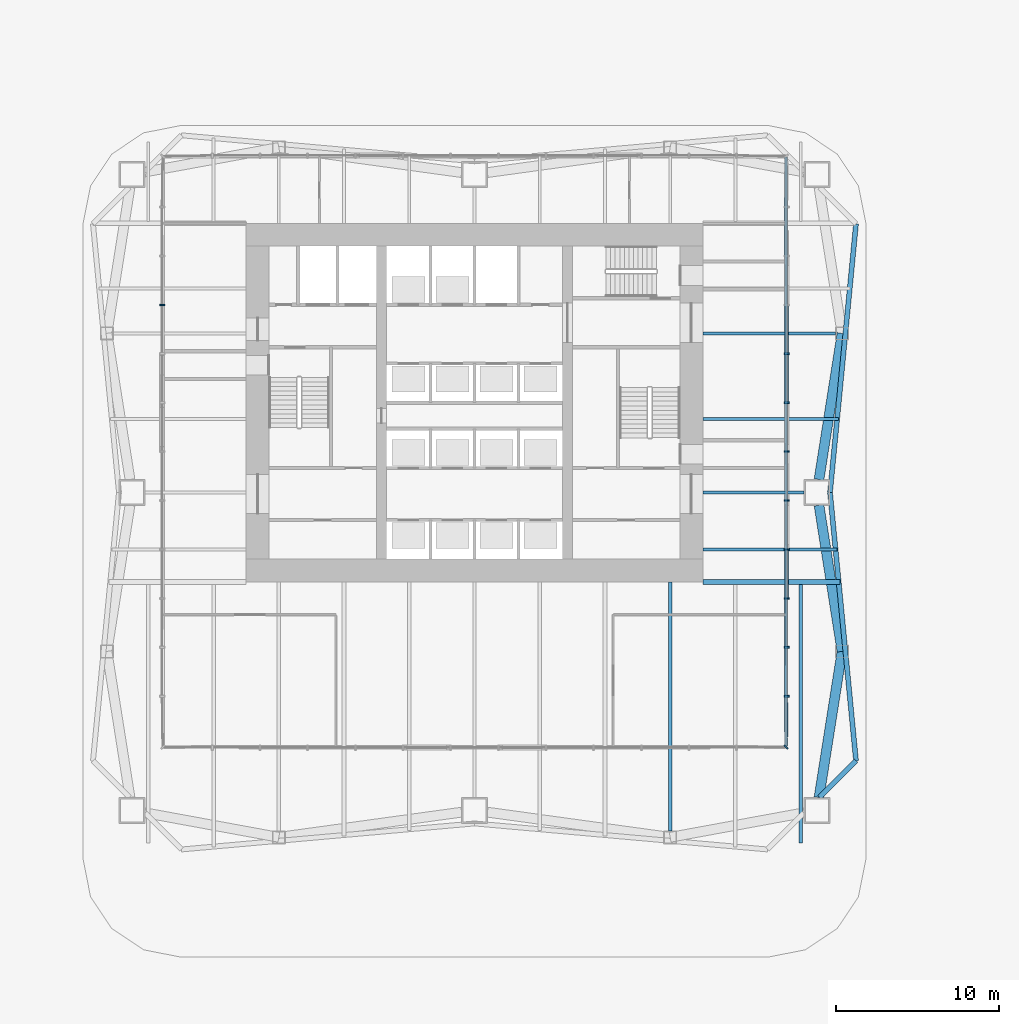
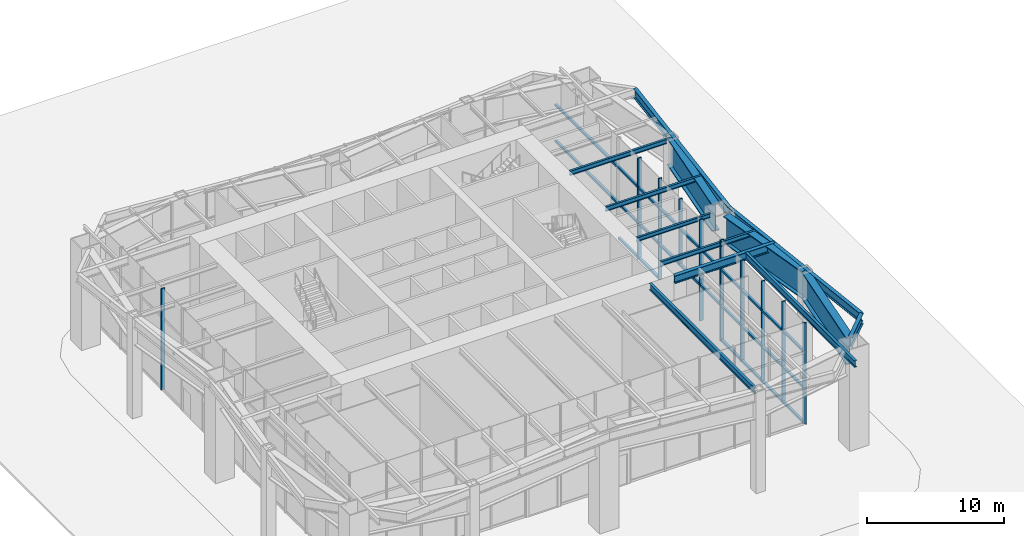
# One storey, part 3 of 13: 14 members, 13 beams, 2 elements without a shape of their own.
"""IFC4 building model written with IfcOpenShell, lengths in metres."""

import ifcopenshell
import ifcopenshell.guid

model = None  # the IFC model being written
_history = None  # IfcOwnerHistory: only IFC2X3 demands one
_inside = {}  # id of a spatial element -> (the spatial element, [elements in it])
_under = {}  # id of a project, library or spatial element -> (it, [spatial elements below it])
_declared = {}  # id of a project -> (the project, [libraries it declares])
_typed = {}  # id of a type object -> (the type object, [elements of that type])
_made_of = {}  # id of a material, layer set ... -> (it, [elements and type objects made of it])


def new_model(schema):
    """Start an empty IFC model of exactly this schema.

    Asked for "IFC4X3", IfcOpenShell would pick the latest addendum, in which some entities
    have other attributes; the version numbers below select the first issue.
    IFC2X3 requires an IfcOwnerHistory on every rooted entity: one is made here for all.
    """
    global model, _history
    if schema == "IFC4X3":
        model = ifcopenshell.file(schema_version=(4, 3, 0, 0))
    else:
        model = ifcopenshell.file(schema=schema)
    _inside.clear()
    _under.clear()
    _declared.clear()
    _typed.clear()
    _made_of.clear()
    _history = None
    if model.schema == "IFC2X3":
        org = make("IfcOrganization", Name="unknown")
        user = make(
            "IfcPersonAndOrganization",
            ThePerson=make("IfcPerson", FamilyName="unknown"),
            TheOrganization=org,
        )
        app = make(
            "IfcApplication",
            ApplicationDeveloper=org,
            Version="unknown",
            ApplicationFullName="unknown",
            ApplicationIdentifier="unknown",
        )
        _history = make(
            "IfcOwnerHistory",
            OwningUser=user,
            OwningApplication=app,
            ChangeAction="ADDED",
            CreationDate=0,
        )
    return model


def make(cls, **values):
    """One entity of the class cls with the attributes given. An attribute that is None is left unset."""
    return model.create_entity(
        cls, **{name: value for name, value in values.items() if value is not None}
    )


def rooted(cls, **values):
    """An entity with a GlobalId (a new one), such as an element, a storey or a relation."""
    return make(cls, GlobalId=ifcopenshell.guid.new(), OwnerHistory=_history, **values)


def si_unit(unit_type, name, prefix=None):
    """IfcSIUnit, for example si_unit("LENGTHUNIT", "METRE", prefix="MILLI")."""
    return make("IfcSIUnit", UnitType=unit_type, Prefix=prefix, Name=name)


def assignment(units):
    """IfcUnitAssignment: the units of a project."""
    return None if units is None else make("IfcUnitAssignment", Units=units)


def point(xyz):
    """IfcCartesianPoint."""
    return None if xyz is None else make("IfcCartesianPoint", Coordinates=xyz)


def direction(xyz):
    """IfcDirection."""
    return None if xyz is None else make("IfcDirection", DirectionRatios=xyz)


def frame(location, z_axis=None, x_axis=None):
    """IfcAxis2Placement3D, a coordinate frame: its origin and axes. An axis left out is left unset."""
    return make(
        "IfcAxis2Placement3D",
        Location=point(location),
        Axis=direction(z_axis),
        RefDirection=direction(x_axis),
    )


def frame_2d(location, x_axis=None):
    """IfcAxis2Placement2D, a coordinate frame in the plane: its origin and x axis."""
    return make(
        "IfcAxis2Placement2D", Location=point(location), RefDirection=direction(x_axis)
    )


def origin():
    """The frame at (0, 0, 0) with its axes left unset."""
    return frame((0.0, 0.0, 0.0))


def origin_2d():
    """The frame at (0, 0) in the plane with its x axis left unset."""
    return frame_2d((0.0, 0.0))


def place(relative_to, where):
    """IfcLocalPlacement: puts the frame where relative to a parent placement (None: the world)."""
    return make(
        "IfcLocalPlacement", PlacementRelTo=relative_to, RelativePlacement=where
    )


def context(
    kind, dimensions, precision=None, world=None, true_north=None, identifier=None
):
    """IfcGeometricRepresentationContext, for example the 3D "Model" context."""
    return make(
        "IfcGeometricRepresentationContext",
        ContextIdentifier=identifier,
        ContextType=kind,
        CoordinateSpaceDimension=dimensions,
        Precision=precision,
        WorldCoordinateSystem=world,
        TrueNorth=true_north,
    )


def subcontext(parent, identifier, kind, view, scale=None):
    """IfcGeometricRepresentationSubContext, for example "Body" below "Model"."""
    return make(
        "IfcGeometricRepresentationSubContext",
        ContextIdentifier=identifier,
        ContextType=kind,
        ParentContext=parent,
        TargetScale=scale,
        TargetView=view,
    )


def project(units=None, contexts=None):
    """IfcProject with its units and contexts."""
    return rooted(
        "IfcProject",
        Name="project",
        RepresentationContexts=contexts,
        UnitsInContext=assignment(units),
    )


def spatial(cls, under=None, at=None, **own):
    """A site, building, storey or space (cls), placed at a placement, below another one or the project."""
    s = rooted(cls, ObjectPlacement=at, **own)
    if under is not None:
        _under.setdefault(under.id(), (under, []))[1].append(s)
    return s


def profile(cls, at=None, kind="AREA", **sizes):
    """A parametric profile (cls). Its sizes go by their IFC names, for example OverallWidth=200.0."""
    return make(cls, ProfileType=kind, Position=at, **sizes)


def rectangle(**sizes):
    """IfcRectangleProfileDef."""
    return profile("IfcRectangleProfileDef", **sizes)


def i_section(**sizes):
    """IfcIShapeProfileDef."""
    return profile("IfcIShapeProfileDef", **sizes)


def extrude(swept, where, along, depth):
    """IfcExtrudedAreaSolid: the profile swept, set in the frame where, extruded along a direction by depth."""
    return make(
        "IfcExtrudedAreaSolid",
        SweptArea=swept,
        Position=where,
        ExtrudedDirection=direction(along),
        Depth=depth,
    )


def shape(context_of_items, identifier, shape_type, items):
    """IfcShapeRepresentation: the items that make up one representation, for example the "Body"."""
    return make(
        "IfcShapeRepresentation",
        ContextOfItems=context_of_items,
        RepresentationIdentifier=identifier,
        RepresentationType=shape_type,
        Items=items,
    )


def material(Name=None, Category=None):
    """IfcMaterial."""
    return make("IfcMaterial", Name=Name, Category=Category)


def material_profile(
    of_material, cross_section, Name=None, Category=None, Priority=None
):
    """IfcMaterialProfile: a cross section and its material."""
    return make(
        "IfcMaterialProfile",
        Name=Name,
        Material=of_material,
        Profile=cross_section,
        Priority=Priority,
        Category=Category,
    )


def profile_set(profiles, Name=None, composite=None):
    """IfcMaterialProfileSet."""
    return make(
        "IfcMaterialProfileSet",
        Name=Name,
        MaterialProfiles=profiles,
        CompositeProfile=composite,
    )


def made_of(thing, what):
    """Note that an element or type object is made of a material, layer set ...; save() writes the relation."""
    if what is not None:
        _made_of.setdefault(what.id(), (what, []))[1].append(thing)
    return thing


def type_object(cls, material=None, **own):
    """A type object (cls), such as IfcWallType, which elements share."""
    return made_of(rooted(cls, **own), material)


def element(
    cls,
    number,
    at=None,
    inside=None,
    cuts=None,
    type_object=None,
    material=None,
    context=None,
    identifier="Body",
    shape_type=None,
    held_by="IfcProductDefinitionShape",
    body=None,
    shapes=None,
    **own,
):
    """One element of the class cls, such as IfcWall. Its Tag is "e" and its number.

    at: its placement. inside: the storey or other place that contains it. cuts: it is an
    opening in that element (IfcRelVoidsElement). A single representation is given by context,
    identifier, shape_type and body (its items); several are given by shapes. held_by: the class
    of the entity that holds the representations. save() writes the other relations.
    """
    e = rooted(cls, Tag="e%d" % number, ObjectPlacement=at, **own)
    if body is not None:
        shapes = [shape(context, identifier, shape_type, body)]
    if shapes is not None:
        e.Representation = make(held_by, Representations=shapes)
    if inside is not None:
        _inside.setdefault(inside.id(), (inside, []))[1].append(e)
    if cuts is not None:
        rooted(
            "IfcRelVoidsElement", RelatingBuildingElement=cuts, RelatedOpeningElement=e
        )
    if type_object is not None:
        _typed.setdefault(type_object.id(), (type_object, []))[1].append(e)
    return made_of(e, material)


def aggregate(whole, parts):
    """IfcRelAggregates: a whole, such as a stair, and the parts it consists of."""
    return rooted("IfcRelAggregates", RelatingObject=whole, RelatedObjects=parts)


def save(model, path):
    """Write the relations noted so far, then the file.

    IfcRelAggregates (storeys below a building ...), IfcRelContainedInSpatialStructure (elements
    in a storey), IfcRelDefinesByType, IfcRelAssociatesMaterial and IfcRelDeclares: one each for
    every whole, place, type object, material and project.
    """
    for whole, parts in _under.values():
        aggregate(whole, parts)
    for where, things in _inside.values():
        rooted(
            "IfcRelContainedInSpatialStructure",
            RelatedElements=things,
            RelatingStructure=where,
        )
    for kind, things in _typed.values():
        rooted("IfcRelDefinesByType", RelatedObjects=things, RelatingType=kind)
    for what, things in _made_of.values():
        rooted("IfcRelAssociatesMaterial", RelatedObjects=things, RelatingMaterial=what)
    for by, libraries in _declared.values():
        rooted("IfcRelDeclares", RelatingContext=by, RelatedDefinitions=libraries)
    model.write(path)


model = new_model("IFC4")

# Units and contexts
model_context = context("Model", 3, precision=1e-05, world=origin(), true_north=direction((0.0, 1.0)))
body_context = subcontext(model_context, "Body", "Model", "MODEL_VIEW")
ifc_project = project(units=[si_unit("LENGTHUNIT", "METRE"), si_unit("AREAUNIT", "SQUARE_METRE"), si_unit("VOLUMEUNIT", "CUBIC_METRE"), si_unit("PLANEANGLEUNIT", "RADIAN"), si_unit("MASSUNIT", "GRAM", prefix="KILO")], contexts=[model_context])

# Site, building, storey
site_placement = place(None, origin())
site = spatial("IfcSite", under=ifc_project, at=site_placement, CompositionType="ELEMENT")
building_placement = place(site_placement, origin())
building = spatial("IfcBuilding", under=site, at=building_placement, Name="Verdant Reach Tower", CompositionType="ELEMENT")
storey_placement = place(building_placement, origin())
storey = spatial("IfcBuildingStorey", under=building, at=storey_placement, Name="G", CompositionType="ELEMENT", Elevation=0.0)

# Curtain wall, members
ifc_material_1 = material(Name="Anodised aluminium", Category="aluminium")
curtain_wall_type = type_object("IfcCurtainWallType", Name="EN-CW SYSTEM LOBBY", PredefinedType="NOTDEFINED", material=ifc_material_1)
curtain_wall_1_placement = place(storey_placement, origin())
curtain_wall_1 = element("IfcCurtainWall", 1, at=curtain_wall_1_placement, inside=storey, type_object=curtain_wall_type, Name="Curtain wall east, G", PredefinedType="NOTDEFINED")
ifc_material_profile_1 = material_profile(ifc_material_1, rectangle(XDim=0.300048828125, YDim=0.10009765625, at=origin_2d()), Name="Mullion 100x300")
ifc_profile_set_1 = profile_set([ifc_material_profile_1], Name="Anodised aluminium")
member_type_1 = type_object("IfcMemberType", Name="EN-MULLION LOBBY", PredefinedType="MULLION", material=ifc_profile_set_1)
member_1_placement = place(storey_placement, frame((19.10595703125, 6.89404296875, 0.0), z_axis=(0.0, 0.0, 1.0), x_axis=(0.707106781187, -0.707106781187, 0.0)))
member_1 = element("IfcMember", 2, at=member_1_placement, type_object=member_type_1, Name="Mullion east face part 1 1, G", PredefinedType="MULLION", context=body_context, shape_type="SweptSolid", body=[
    extrude(rectangle(XDim=0.300048828125, YDim=0.10009765625, at=origin_2d()), origin(), (0.0, 0.0, 1.0), 9.0),
])
member_2_placement = place(storey_placement, frame((19.14990234375, 10.0, 0.0), z_axis=(0.0, 0.0, 1.0), x_axis=(1.0, 0.0, 0.0)))
member_2 = element("IfcMember", 3, at=member_2_placement, type_object=member_type_1, Name="Mullion east face part 1 2, G", PredefinedType="MULLION", context=body_context, shape_type="SweptSolid", body=[
    extrude(rectangle(XDim=0.300048828125, YDim=0.10009765625, at=origin_2d()), origin(), (0.0, 0.0, 1.0), 9.0),
])
member_3_placement = place(storey_placement, frame((19.14990234375, 13.0, 0.0), z_axis=(0.0, 0.0, 1.0), x_axis=(1.0, 0.0, 0.0)))
member_3 = element("IfcMember", 4, at=member_3_placement, type_object=member_type_1, Name="Mullion east face part 1 3, G", PredefinedType="MULLION", context=body_context, shape_type="SweptSolid", body=[
    extrude(rectangle(XDim=0.300048828125, YDim=0.10009765625, at=origin_2d()), origin(), (0.0, 0.0, 1.0), 9.0),
])
member_4_placement = place(storey_placement, frame((19.14990234375, 16.0, 0.0), z_axis=(0.0, 0.0, 1.0), x_axis=(1.0, 0.0, 0.0)))
member_4 = element("IfcMember", 5, at=member_4_placement, type_object=member_type_1, Name="Mullion east face part 1 4, G", PredefinedType="MULLION", context=body_context, shape_type="SweptSolid", body=[
    extrude(rectangle(XDim=0.300048828125, YDim=0.10009765625, at=origin_2d()), origin(), (0.0, 0.0, 1.0), 9.0),
])
member_5_placement = place(storey_placement, frame((19.14990234375, 19.0, 0.0), z_axis=(0.0, 0.0, 1.0), x_axis=(1.0, 0.0, 0.0)))
member_5 = element("IfcMember", 6, at=member_5_placement, type_object=member_type_1, Name="Mullion east face part 1 5, G", PredefinedType="MULLION", context=body_context, shape_type="SweptSolid", body=[
    extrude(rectangle(XDim=0.300048828125, YDim=0.10009765625, at=origin_2d()), origin(), (0.0, 0.0, 1.0), 9.0),
])
member_6_placement = place(storey_placement, frame((19.14990234375, 22.0, 0.0), z_axis=(0.0, 0.0, 1.0), x_axis=(1.0, 0.0, 0.0)))
member_6 = element("IfcMember", 7, at=member_6_placement, type_object=member_type_1, Name="Mullion east face part 1 6, G", PredefinedType="MULLION", context=body_context, shape_type="SweptSolid", body=[
    extrude(rectangle(XDim=0.300048828125, YDim=0.10009765625, at=origin_2d()), origin(), (0.0, 0.0, 1.0), 9.0),
])
member_7_placement = place(storey_placement, frame((19.14990234375, 25.0, 3.110107421875), z_axis=(0.0, 0.0, 1.0), x_axis=(1.0, 0.0, 0.0)))
member_7 = element("IfcMember", 8, at=member_7_placement, type_object=member_type_1, Name="Mullion east face part 1 7, G", PredefinedType="MULLION", context=body_context, shape_type="SweptSolid", body=[
    extrude(rectangle(XDim=0.300048828125, YDim=0.10009765625, at=origin_2d()), origin(), (0.0, 0.0, 1.0), 5.889892578125),
])
member_8_placement = place(storey_placement, frame((19.14990234375, 28.0, 0.0), z_axis=(0.0, 0.0, 1.0), x_axis=(1.0, 0.0, 0.0)))
member_8 = element("IfcMember", 9, at=member_8_placement, type_object=member_type_1, Name="Mullion east face part 1 8, G", PredefinedType="MULLION", context=body_context, shape_type="SweptSolid", body=[
    extrude(rectangle(XDim=0.300048828125, YDim=0.10009765625, at=origin_2d()), origin(), (0.0, 0.0, 1.0), 9.0),
])
member_9_placement = place(storey_placement, frame((19.14990234375, 31.0, 0.0), z_axis=(0.0, 0.0, 1.0), x_axis=(1.0, 0.0, 0.0)))
member_9 = element("IfcMember", 10, at=member_9_placement, type_object=member_type_1, Name="Mullion east face part 1 9, G", PredefinedType="MULLION", context=body_context, shape_type="SweptSolid", body=[
    extrude(rectangle(XDim=0.300048828125, YDim=0.10009765625, at=origin_2d()), origin(), (0.0, 0.0, 1.0), 9.0),
])

# Curtain wall, member
curtain_wall_2_placement = place(storey_placement, origin())
curtain_wall_2 = element("IfcCurtainWall", 11, at=curtain_wall_2_placement, inside=storey, type_object=curtain_wall_type, Name="Curtain wall west, G", PredefinedType="NOTDEFINED")
member_10_placement = place(storey_placement, frame((-19.14990234375, 34.0, 0.0), z_axis=(0.0, 0.0, 1.0), x_axis=(-1.0, 0.0, 0.0)))
member_10 = element("IfcMember", 12, at=member_10_placement, type_object=member_type_1, Name="Mullion west face part 1 4, G", PredefinedType="MULLION", context=body_context, shape_type="SweptSolid", body=[
    extrude(rectangle(XDim=0.300048828125, YDim=0.10009765625, at=origin_2d()), origin(), (0.0, 0.0, 1.0), 9.0),
])
aggregate(curtain_wall_2, [member_10])

# Member
ifc_material_profile_2 = material_profile(ifc_material_1, rectangle(XDim=0.199951171875, YDim=0.179931640625, at=origin_2d()), Name="Transom 180x200")
ifc_profile_set_2 = profile_set([ifc_material_profile_2], Name="Anodised aluminium")
member_type_2 = type_object("IfcMemberType", Name="EN-TRANSOM LOBBY", PredefinedType="USERDEFINED", material=ifc_profile_set_2)
member_11_placement = place(storey_placement, frame((19.106201171875, 6.94384765625, 0.090087890625), z_axis=(0.003639888855, 0.999993375583, 0.0), x_axis=(-0.999993375583, 0.003639888855, 0.0)))
member_11 = element("IfcMember", 13, at=member_11_placement, type_object=member_type_2, Name="Transom east face part 1 1.1, G", ObjectType="TRANSOM", PredefinedType="USERDEFINED", context=body_context, shape_type="SweptSolid", body=[
    extrude(rectangle(XDim=0.199951171875, YDim=0.179931640625, at=origin_2d()), origin(), (0.0, 0.0, 1.0), 12.006103515625),
])

member_12_placement = place(storey_placement, frame((19.14990234375, 28.050048828125, 0.090087890625), z_axis=(0.0, 1.0, 0.0), x_axis=(-1.0, 0.0, 0.0)))
member_12 = element("IfcMember", 14, at=member_12_placement, type_object=member_type_2, Name="Transom east face part 1 2.1, G", ObjectType="TRANSOM", PredefinedType="USERDEFINED", context=body_context, shape_type="SweptSolid", body=[
    extrude(rectangle(XDim=0.199951171875, YDim=0.179931640625, at=origin_2d()), origin(), (0.0, 0.0, 1.0), 5.89990234375),
])

member_13_placement = place(storey_placement, frame((19.10595703125, 6.94384765625, 3.199951171875), z_axis=(0.0, 1.0, 0.0), x_axis=(-1.0, 0.0, 0.0)))
member_13 = element("IfcMember", 15, at=member_13_placement, type_object=member_type_2, Name="Transom east face part 1 1.2, G", ObjectType="TRANSOM", PredefinedType="USERDEFINED", context=body_context, shape_type="SweptSolid", body=[
    extrude(rectangle(XDim=0.199951171875, YDim=0.179931640625, at=origin_2d()), origin(), (0.0, 0.0, 1.0), 36.1123046875),
])

member_14_placement = place(storey_placement, frame((19.10595703125, 6.94384765625, 6.39990234375), z_axis=(0.0, 1.0, 0.0), x_axis=(-1.0, 0.0, 0.0)))
member_14 = element("IfcMember", 16, at=member_14_placement, type_object=member_type_2, Name="Transom east face part 1 1.3, G", ObjectType="TRANSOM", PredefinedType="USERDEFINED", context=body_context, shape_type="SweptSolid", body=[
    extrude(rectangle(XDim=0.199951171875, YDim=0.179931640625, at=origin_2d()), origin(), (0.0, 0.0, 1.0), 36.1123046875),
])

aggregate(curtain_wall_1, [member_1, member_2, member_3, member_4, member_5, member_6, member_7, member_8, member_9, member_11, member_12, member_13, member_14])

# Beams
ifc_material_2 = material(Name="Steel S355", Category="steel")
ifc_material_profile_3 = material_profile(ifc_material_2, i_section(OverallWidth=0.300048828125, OverallDepth=0.699951171875, WebThickness=0.01708984375, FlangeThickness=0.031982421875, FilletRadius=0.027099609375, at=origin_2d()), Name="HEB 700")
ifc_profile_set_3 = profile_set([ifc_material_profile_3], Name="Steel S355")
beam_type_1 = type_object("IfcBeamType", Name="ST-BEAM-HEB700", PredefinedType="BEAM", material=ifc_profile_set_3)
beam_1_placement = place(storey_placement, frame((14.0, 17.0, 8.52001953125), z_axis=(1.0, 0.0, 0.0), x_axis=(0.0, 1.0, 0.0)))
element("IfcBeam", 17, at=beam_1_placement, inside=storey, type_object=beam_type_1, Name="Trimmer beam, G", PredefinedType="BEAM", context=body_context, shape_type="SweptSolid", body=[
    extrude(i_section(OverallWidth=0.300048828125, OverallDepth=0.699951171875, WebThickness=0.01708984375, FlangeThickness=0.031982421875, FilletRadius=0.027099609375, at=origin_2d()), origin(), (0.0, 0.0, 1.0), 8.3974609375),
])
ifc_material_profile_4 = material_profile(ifc_material_2, i_section(OverallWidth=0.60009765625, OverallDepth=2.39990234375, WebThickness=0.0400390625, FlangeThickness=0.080078125, at=origin_2d()), Name="PG 2400x600x40x80")
ifc_profile_set_4 = profile_set([ifc_material_profile_4], Name="Steel S355")
beam_type_2 = type_object("IfcBeamType", Name="ST-BEAM-PG2400x600x40x80", PredefinedType="BEAM", material=ifc_profile_set_4)
for number, where, z_axis, x_axis, name in (
    (18, (21.12451171875, 3.790283203125, 7.669921875), (0.155658481672, 0.987810931851, 0.0), (-0.987810931851, 0.155658481672, 0.0), "Transfer girder east 9, ground storey"),
    (19, (22.536376953125, 12.75, 7.669921875), (-0.155658481672, 0.987810931851, 0.0), (-0.987810931851, -0.155658481672, 0.0), "Transfer girder east 10, ground storey"),
    (20, (21.12451171875, 23.290283203125, 7.669921875), (0.155658481672, 0.987810931851, 0.0), (-0.987810931851, 0.155658481672, 0.0), "Transfer girder east 11, ground storey"),
):
    element("IfcBeam", number, at=place(storey_placement, frame(where, z_axis=z_axis, x_axis=x_axis)), inside=storey, type_object=beam_type_2, Name=name, PredefinedType="BEAM", context=body_context, shape_type="SweptSolid", body=[
        extrude(i_section(OverallWidth=0.60009765625, OverallDepth=2.39990234375, WebThickness=0.0400390625, FlangeThickness=0.080078125, at=origin_2d()), origin(), (0.0, 0.0, 1.0), 9.0703125),
    ])
ifc_material_profile_5 = material_profile(ifc_material_2, i_section(OverallWidth=0.169921875, OverallDepth=0.360107421875, WebThickness=0.008056640625, FlangeThickness=0.0126953125, FilletRadius=0.01806640625, at=origin_2d()), Name="IPE 360")
ifc_profile_set_5 = profile_set([ifc_material_profile_5], Name="Steel S355")
beam_type_3 = type_object("IfcBeamType", Name="ST-JOIST-IPE360", PredefinedType="JOIST", material=ifc_profile_set_5)
beam_2_placement = place(storey_placement, frame((14.0, 22.5, 8.68994140625), z_axis=(1.0, 0.0, 0.0), x_axis=(0.0, 1.0, 0.0)))
element("IfcBeam", 21, at=beam_2_placement, inside=storey, type_object=beam_type_3, Name="Floor joist, G", PredefinedType="JOIST", context=body_context, shape_type="SweptSolid", body=[
    extrude(i_section(OverallWidth=0.169921875, OverallDepth=0.360107421875, WebThickness=0.008056640625, FlangeThickness=0.0126953125, FilletRadius=0.01806640625, at=origin_2d()), origin(), (0.0, 0.0, 1.0), 6.199951171875),
])
ifc_material_profile_6 = material_profile(ifc_material_2, i_section(OverallWidth=0.179931640625, OverallDepth=0.39990234375, WebThickness=0.008544921875, FlangeThickness=0.013427734375, FilletRadius=0.02099609375, at=origin_2d()), Name="IPE 400")
ifc_profile_set_6 = profile_set([ifc_material_profile_6], Name="Steel S355")
beam_type_4 = type_object("IfcBeamType", Name="ST-JOIST-IPE400", PredefinedType="JOIST", material=ifc_profile_set_6)
beam_3_placement = place(storey_placement, frame((14.0, 19.0, 8.669921875), z_axis=(1.0, 0.0, 0.0), x_axis=(0.0, 1.0, 0.0)))
element("IfcBeam", 22, at=beam_3_placement, inside=storey, type_object=beam_type_4, Name="Floor joist, G", PredefinedType="JOIST", context=body_context, shape_type="SweptSolid", body=[
    extrude(i_section(OverallWidth=0.179931640625, OverallDepth=0.39990234375, WebThickness=0.008544921875, FlangeThickness=0.013427734375, FilletRadius=0.02099609375, at=origin_2d()), origin(), (0.0, 0.0, 1.0), 8.2158203125),
])
beam_4_placement = place(storey_placement, frame((14.0, 27.0, 8.669921875), z_axis=(1.0, 0.0, 0.0), x_axis=(0.0, 1.0, 0.0)))
element("IfcBeam", 23, at=beam_4_placement, inside=storey, type_object=beam_type_4, Name="Floor joist, G", PredefinedType="JOIST", context=body_context, shape_type="SweptSolid", body=[
    extrude(i_section(OverallWidth=0.179931640625, OverallDepth=0.39990234375, WebThickness=0.008544921875, FlangeThickness=0.013427734375, FilletRadius=0.02099609375, at=origin_2d()), origin(), (0.0, 0.0, 1.0), 8.306640625),
])
beam_5_placement = place(storey_placement, frame((14.0, 32.25, 8.669921875), z_axis=(1.0, 0.0, 0.0), x_axis=(0.0, 1.0, 0.0)))
element("IfcBeam", 24, at=beam_5_placement, inside=storey, type_object=beam_type_4, Name="Floor joist, G", PredefinedType="JOIST", context=body_context, shape_type="SweptSolid", body=[
    extrude(i_section(OverallWidth=0.179931640625, OverallDepth=0.39990234375, WebThickness=0.008544921875, FlangeThickness=0.013427734375, FilletRadius=0.02099609375, at=origin_2d()), origin(), (0.0, 0.0, 1.0), 8.136474609375),
])
ifc_material_profile_7 = material_profile(ifc_material_2, i_section(OverallWidth=0.219970703125, OverallDepth=0.60009765625, WebThickness=0.011962890625, FlangeThickness=0.01904296875, FilletRadius=0.02392578125, at=origin_2d()), Name="IPE 600")
ifc_profile_set_7 = profile_set([ifc_material_profile_7], Name="Steel S355")
beam_type_5 = type_object("IfcBeamType", Name="ST-JOIST-IPE600", PredefinedType="JOIST", material=ifc_profile_set_7)
beam_6_placement = place(storey_placement, frame((12.0, 17.0, 8.570068359375), z_axis=(0.0, -1.0, 0.0), x_axis=(1.0, 0.0, 0.0)))
element("IfcBeam", 25, at=beam_6_placement, inside=storey, type_object=beam_type_5, Name="Floor joist, G", PredefinedType="JOIST", context=body_context, shape_type="SweptSolid", body=[
    extrude(i_section(OverallWidth=0.219970703125, OverallDepth=0.60009765625, WebThickness=0.011962890625, FlangeThickness=0.01904296875, FilletRadius=0.02392578125, at=origin_2d()), origin(), (0.0, 0.0, 1.0), 15.25),
])
beam_7_placement = place(storey_placement, frame((20.0, 16.89990234375, 8.570068359375), z_axis=(0.0, -1.0, 0.0), x_axis=(1.0, 0.0, 0.0)))
element("IfcBeam", 26, at=beam_7_placement, inside=storey, type_object=beam_type_5, Name="Floor joist, G", PredefinedType="JOIST", context=body_context, shape_type="SweptSolid", body=[
    extrude(i_section(OverallWidth=0.219970703125, OverallDepth=0.60009765625, WebThickness=0.011962890625, FlangeThickness=0.01904296875, FilletRadius=0.02392578125, at=origin_2d()), origin(), (0.0, 0.0, 1.0), 15.890380859375),
])
ifc_material_profile_8 = material_profile(ifc_material_2, i_section(OverallWidth=0.300048828125, OverallDepth=0.800048828125, WebThickness=0.017578125, FlangeThickness=0.032958984375, FilletRadius=0.030029296875, at=origin_2d()), Name="HEB 800")
ifc_profile_set_8 = profile_set([ifc_material_profile_8], Name="Steel S355")
beam_type_6 = type_object("IfcBeamType", Name="ST-SPANDREL-HEB800", PredefinedType="SPANDREL", material=ifc_profile_set_8)
for number, where, z_axis, x_axis, name in (
    (27, (23.39453125, 38.968017578125, 8.469970703125), (-0.096372296695, -0.995345357366, 0.0), (0.995345357366, -0.096372296695, 0.0), "Edge beam, G"),
    (28, (21.800048828125, 22.5, 8.469970703125), (0.096372296695, -0.995345357366, 0.0), (0.995345357366, 0.096372296695, 0.0), "Edge beam, G"),
):
    element("IfcBeam", number, at=place(storey_placement, frame(where, z_axis=z_axis, x_axis=x_axis)), inside=storey, type_object=beam_type_6, Name=name, PredefinedType="SPANDREL", context=body_context, shape_type="SweptSolid", body=[
        extrude(i_section(OverallWidth=0.300048828125, OverallDepth=0.800048828125, WebThickness=0.017578125, FlangeThickness=0.032958984375, FilletRadius=0.030029296875, at=origin_2d()), origin(), (0.0, 0.0, 1.0), 16.544921875),
    ])
ifc_material_profile_9 = material_profile(ifc_material_2, i_section(OverallWidth=0.302001953125, OverallDepth=0.909912109375, WebThickness=0.02099609375, FlangeThickness=0.0400390625, FilletRadius=0.030029296875, at=origin_2d()), Name="HEM 900")
ifc_profile_set_9 = profile_set([ifc_material_profile_9], Name="Steel S355")
beam_type_7 = type_object("IfcBeamType", Name="ST-SPANDREL-HEM900", PredefinedType="SPANDREL", material=ifc_profile_set_9)
beam_8_placement = place(storey_placement, frame((23.39453125, 6.031982421875, 8.4150390625), z_axis=(-0.70722277322, -0.706990770123, 0.0), x_axis=(0.706990770123, -0.70722277322, 0.0)))
element("IfcBeam", 29, at=beam_8_placement, inside=storey, type_object=beam_type_7, Name="Edge beam, G", PredefinedType="SPANDREL", context=body_context, shape_type="SweptSolid", body=[
    extrude(i_section(OverallWidth=0.302001953125, OverallDepth=0.909912109375, WebThickness=0.02099609375, FlangeThickness=0.0400390625, FilletRadius=0.030029296875, at=origin_2d()), origin(), (0.0, 0.0, 1.0), 3.156982421875),
])

save(model, "model.ifc")
